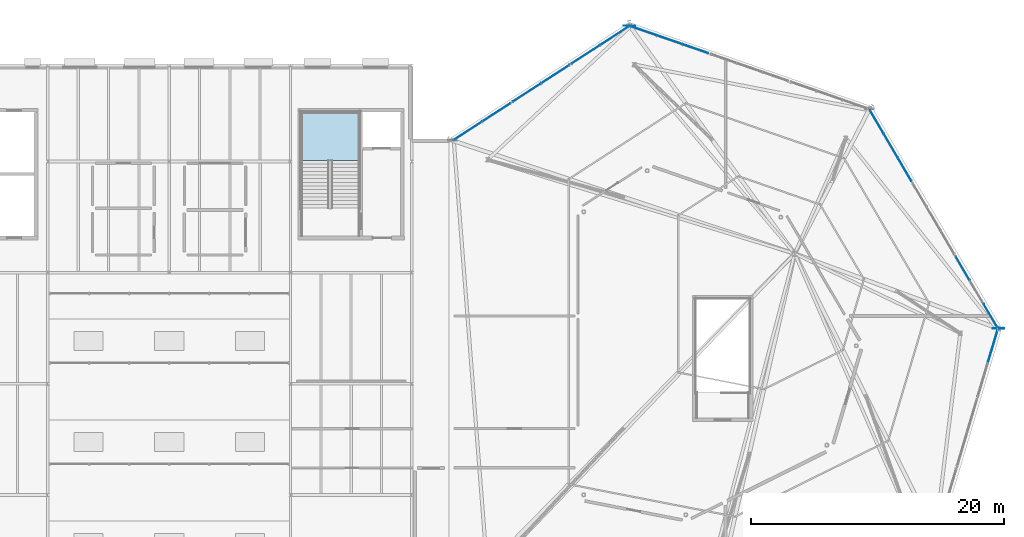
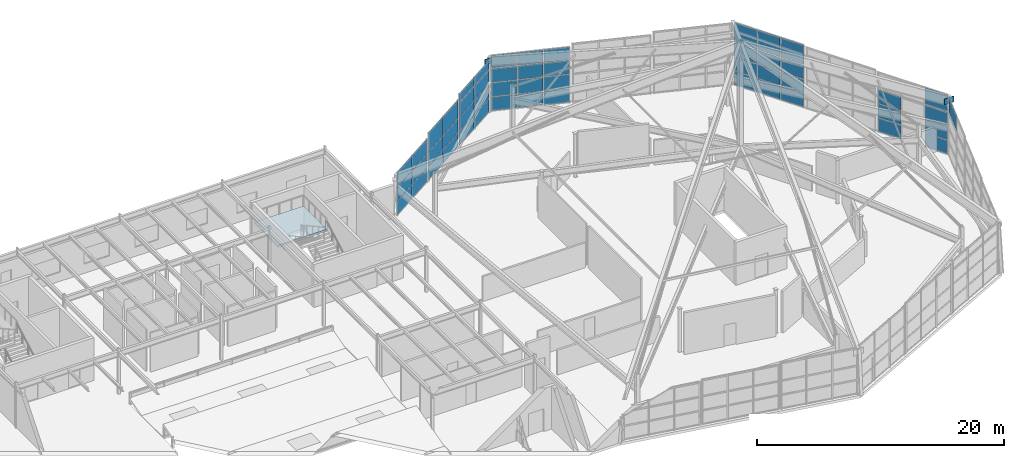
# One storey, part 27 of 50: 54 plates, 1 slab, 12 elements without a shape of their own.
"""IFC4 building model written with IfcOpenShell, lengths in metres."""

from ifc_helpers import new_model, si_unit, direction, frame, origin, origin_2d, place, context, subcontext, project, spatial, polyline, rectangle, outline, extrude, material, layer, layer_set, type_object, element, aggregate, save


model = new_model("IFC4")

# Units and contexts
model_context = context("Model", 3, precision=1e-05, world=origin(), true_north=direction((0.0, 1.0)))
body_context = subcontext(model_context, "Body", "Model", "MODEL_VIEW")
ifc_project = project(units=[si_unit("LENGTHUNIT", "METRE"), si_unit("AREAUNIT", "SQUARE_METRE"), si_unit("VOLUMEUNIT", "CUBIC_METRE"), si_unit("PLANEANGLEUNIT", "RADIAN"), si_unit("MASSUNIT", "GRAM", prefix="KILO")], contexts=[model_context])

# Site, building, storey
site_placement = place(None, origin())
site = spatial("IfcSite", under=ifc_project, at=site_placement, CompositionType="ELEMENT")
building_placement = place(site_placement, origin())
building = spatial("IfcBuilding", under=site, at=building_placement, Name="Sarnbrook Museum", CompositionType="ELEMENT")
storey_placement = place(building_placement, frame((0.0, 0.0, 28.10009765625)))
storey = spatial("IfcBuildingStorey", under=building, at=storey_placement, Name="L05", CompositionType="ELEMENT", Elevation=28.10009765625)

# Curtain wall, plate
ifc_material_1 = material(Name="Thermally Broken Anodised Aluminium 6063-T6", Category="aluminium")
curtain_wall_type_1 = type_object("IfcCurtainWallType", Name="CurtainWall_Sawtooth", PredefinedType="NOTDEFINED", material=ifc_material_1)
curtain_wall_1_placement = place(storey_placement, origin())
curtain_wall_1 = element("IfcCurtainWall", 1, at=curtain_wall_1_placement, inside=storey, type_object=curtain_wall_type_1, Name="Crystal Roof Folded Eaves Clerestory 4", PredefinedType="NOTDEFINED")
ifc_material_2 = material(Name="Double-Glazed Low-Iron Laminated Safety Glass", Category="glass")
ifc_layer_1 = layer(ifc_material_2, 0.031982421875)
ifc_layer_set_1 = layer_set([ifc_layer_1], Name="Double-Glazed Low-Iron Laminated Safety Glass")
plate_type_1 = type_object("IfcPlateType", Name="CW_GlazedPanel_32", PredefinedType="CURTAIN_PANEL", material=ifc_layer_set_1)
plate_1_placement = place(storey_placement, frame((165.1650390625, 86.162841796875, 4.974853515625), z_axis=(0.958647188199, -0.284597204059, 0.0), x_axis=(0.284597204059, 0.958647188199, 0.0)))
plate_1 = element("IfcPlate", 2, at=plate_1_placement, type_object=plate_type_1, Name="Crystal Roof Folded Eaves Clerestory 4 Glazed Panel 2-1", PredefinedType="CURTAIN_PANEL", context=body_context, shape_type="SweptSolid", body=[
    extrude(rectangle(XDim=2.712890625, YDim=1.43994140625, at=origin_2d()), origin(), (0.0, 0.0, 1.0), 0.031982421875),
])
aggregate(curtain_wall_1, [plate_1])

# Curtain wall, plates
curtain_wall_type_2 = type_object("IfcCurtainWallType", Name="CurtainWall_CrystalFacet", PredefinedType="NOTDEFINED", material=ifc_material_1)
curtain_wall_2_placement = place(storey_placement, origin())
curtain_wall_2 = element("IfcCurtainWall", 3, at=curtain_wall_2_placement, inside=storey, type_object=curtain_wall_type_2, Name="Crystal Hall Facet Curtain Wall L05-F4.1", PredefinedType="NOTDEFINED")
plate_2_placement = place(storey_placement, frame((164.99267578125, 88.57958984375, 0.699951171875), z_axis=(0.86250023703, 0.506056658017, 0.0), x_axis=(-0.506056658017, 0.86250023703, 0.0)))
plate_2 = element("IfcPlate", 4, at=plate_2_placement, type_object=plate_type_1, Name="Crystal Hall Facet Curtain Wall L05-F4.1 Glazed Panel 1-1", PredefinedType="CURTAIN_PANEL", context=body_context, shape_type="SweptSolid", body=[
    extrude(rectangle(XDim=2.107666015625, YDim=1.330078125, at=origin_2d()), origin(), (0.0, 0.0, 1.0), 0.031982421875),
])
plate_3_placement = place(storey_placement, frame((164.99267578125, 88.57958984375, 2.099853515625), z_axis=(0.86250023703, 0.506056658017, 0.0), x_axis=(-0.506056658017, 0.86250023703, 0.0)))
plate_3 = element("IfcPlate", 5, at=plate_3_placement, type_object=plate_type_1, Name="Crystal Hall Facet Curtain Wall L05-F4.1 Glazed Panel 1-2", PredefinedType="CURTAIN_PANEL", context=body_context, shape_type="SweptSolid", body=[
    extrude(rectangle(XDim=2.107666015625, YDim=1.330078125, at=origin_2d()), origin(), (0.0, 0.0, 1.0), 0.031982421875),
])
plate_4_placement = place(storey_placement, frame((164.99267578125, 88.57958984375, 3.5), z_axis=(0.86250023703, 0.506056658017, 0.0), x_axis=(-0.506056658017, 0.86250023703, 0.0)))
plate_4 = element("IfcPlate", 6, at=plate_4_placement, type_object=plate_type_1, Name="Crystal Hall Facet Curtain Wall L05-F4.1 Glazed Panel 1-3", PredefinedType="CURTAIN_PANEL", context=body_context, shape_type="SweptSolid", body=[
    extrude(rectangle(XDim=2.107666015625, YDim=1.330078125, at=origin_2d()), origin(), (0.0, 0.0, 1.0), 0.031982421875),
])
plate_5_placement = place(storey_placement, frame((162.78369140625, 92.344482421875, 0.699951171875), z_axis=(0.86250023703, 0.506056658017, 0.0), x_axis=(-0.506056658017, 0.86250023703, 0.0)))
plate_5 = element("IfcPlate", 7, at=plate_5_placement, type_object=plate_type_1, Name="Crystal Hall Facet Curtain Wall L05-F4.1 Glazed Panel 3-1", PredefinedType="CURTAIN_PANEL", context=body_context, shape_type="SweptSolid", body=[
    extrude(rectangle(XDim=2.107666015625, YDim=1.330078125, at=origin_2d()), origin(), (0.0, 0.0, 1.0), 0.031982421875),
])
plate_6_placement = place(storey_placement, frame((162.78369140625, 92.344482421875, 2.099853515625), z_axis=(0.86250023703, 0.506056658017, 0.0), x_axis=(-0.506056658017, 0.86250023703, 0.0)))
plate_6 = element("IfcPlate", 8, at=plate_6_placement, type_object=plate_type_1, Name="Crystal Hall Facet Curtain Wall L05-F4.1 Glazed Panel 3-2", PredefinedType="CURTAIN_PANEL", context=body_context, shape_type="SweptSolid", body=[
    extrude(rectangle(XDim=2.107666015625, YDim=1.330078125, at=origin_2d()), origin(), (0.0, 0.0, 1.0), 0.031982421875),
])
plate_7_placement = place(storey_placement, frame((162.78369140625, 92.344482421875, 3.5), z_axis=(0.86250023703, 0.506056658017, 0.0), x_axis=(-0.506056658017, 0.86250023703, 0.0)))
plate_7 = element("IfcPlate", 9, at=plate_7_placement, type_object=plate_type_1, Name="Crystal Hall Facet Curtain Wall L05-F4.1 Glazed Panel 3-3", PredefinedType="CURTAIN_PANEL", context=body_context, shape_type="SweptSolid", body=[
    extrude(rectangle(XDim=2.107666015625, YDim=1.330078125, at=origin_2d()), origin(), (0.0, 0.0, 1.0), 0.031982421875),
])
aggregate(curtain_wall_2, [plate_2, plate_3, plate_4, plate_5, plate_6, plate_7])

# Curtain wall, plate
curtain_wall_3_placement = place(storey_placement, origin())
curtain_wall_3 = element("IfcCurtainWall", 10, at=curtain_wall_3_placement, inside=storey, type_object=curtain_wall_type_1, Name="Crystal Roof Folded Eaves Clerestory 5", PredefinedType="NOTDEFINED")
plate_8_placement = place(storey_placement, frame((164.99267578125, 88.57958984375, 5.074951171875), z_axis=(0.86250023703, 0.506056658017, 0.0), x_axis=(-0.506056658017, 0.86250023703, 0.0)))
plate_8 = element("IfcPlate", 11, at=plate_8_placement, type_object=plate_type_1, Name="Crystal Roof Folded Eaves Clerestory 5 Glazed Panel 1-1", PredefinedType="CURTAIN_PANEL", context=body_context, shape_type="SweptSolid", body=[
    extrude(rectangle(XDim=2.107666015625, YDim=1.639892578125, at=origin_2d()), origin(), (0.0, 0.0, 1.0), 0.031982421875),
])
aggregate(curtain_wall_3, [plate_8])

# Curtain wall, plates
curtain_wall_4_placement = place(storey_placement, origin())
curtain_wall_4 = element("IfcCurtainWall", 12, at=curtain_wall_4_placement, inside=storey, type_object=curtain_wall_type_2, Name="Crystal Hall Facet Curtain Wall L05-F4.3", PredefinedType="NOTDEFINED")
plate_9_placement = place(storey_placement, frame((158.20361328125, 100.150634765625, 0.699951171875), z_axis=(0.86250023703, 0.506056658017, 0.0), x_axis=(-0.506056658017, 0.86250023703, 0.0)))
plate_9 = element("IfcPlate", 13, at=plate_9_placement, type_object=plate_type_1, Name="Crystal Hall Facet Curtain Wall L05-F4.3 Glazed Panel 1-1", PredefinedType="CURTAIN_PANEL", context=body_context, shape_type="SweptSolid", body=[
    extrude(rectangle(XDim=2.107666015625, YDim=1.330078125, at=origin_2d()), origin(), (0.0, 0.0, 1.0), 0.031982421875),
])
plate_10_placement = place(storey_placement, frame((158.20361328125, 100.150634765625, 2.099853515625), z_axis=(0.86250023703, 0.506056658017, 0.0), x_axis=(-0.506056658017, 0.86250023703, 0.0)))
plate_10 = element("IfcPlate", 14, at=plate_10_placement, type_object=plate_type_1, Name="Crystal Hall Facet Curtain Wall L05-F4.3 Glazed Panel 1-2", PredefinedType="CURTAIN_PANEL", context=body_context, shape_type="SweptSolid", body=[
    extrude(rectangle(XDim=2.107666015625, YDim=1.330078125, at=origin_2d()), origin(), (0.0, 0.0, 1.0), 0.031982421875),
])
plate_11_placement = place(storey_placement, frame((158.20361328125, 100.150634765625, 3.5), z_axis=(0.86250023703, 0.506056658017, 0.0), x_axis=(-0.506056658017, 0.86250023703, 0.0)))
plate_11 = element("IfcPlate", 15, at=plate_11_placement, type_object=plate_type_1, Name="Crystal Hall Facet Curtain Wall L05-F4.3 Glazed Panel 1-3", PredefinedType="CURTAIN_PANEL", context=body_context, shape_type="SweptSolid", body=[
    extrude(rectangle(XDim=2.107666015625, YDim=1.330078125, at=origin_2d()), origin(), (0.0, 0.0, 1.0), 0.031982421875),
])
plate_12_placement = place(storey_placement, frame((157.09912109375, 102.032958984375, 0.699951171875), z_axis=(0.86250023703, 0.506056658017, 0.0), x_axis=(-0.506056658017, 0.86250023703, 0.0)))
plate_12 = element("IfcPlate", 16, at=plate_12_placement, type_object=plate_type_1, Name="Crystal Hall Facet Curtain Wall L05-F4.3 Glazed Panel 2-1", PredefinedType="CURTAIN_PANEL", context=body_context, shape_type="SweptSolid", body=[
    extrude(rectangle(XDim=2.107666015625, YDim=1.330078125, at=origin_2d()), origin(), (0.0, 0.0, 1.0), 0.031982421875),
])
plate_13_placement = place(storey_placement, frame((157.09912109375, 102.032958984375, 2.099853515625), z_axis=(0.86250023703, 0.506056658017, 0.0), x_axis=(-0.506056658017, 0.86250023703, 0.0)))
plate_13 = element("IfcPlate", 17, at=plate_13_placement, type_object=plate_type_1, Name="Crystal Hall Facet Curtain Wall L05-F4.3 Glazed Panel 2-2", PredefinedType="CURTAIN_PANEL", context=body_context, shape_type="SweptSolid", body=[
    extrude(rectangle(XDim=2.107666015625, YDim=1.330078125, at=origin_2d()), origin(), (0.0, 0.0, 1.0), 0.031982421875),
])
plate_14_placement = place(storey_placement, frame((157.09912109375, 102.032958984375, 3.5), z_axis=(0.86250023703, 0.506056658017, 0.0), x_axis=(-0.506056658017, 0.86250023703, 0.0)))
plate_14 = element("IfcPlate", 18, at=plate_14_placement, type_object=plate_type_1, Name="Crystal Hall Facet Curtain Wall L05-F4.3 Glazed Panel 2-3", PredefinedType="CURTAIN_PANEL", context=body_context, shape_type="SweptSolid", body=[
    extrude(rectangle(XDim=2.107666015625, YDim=1.330078125, at=origin_2d()), origin(), (0.0, 0.0, 1.0), 0.031982421875),
])
plate_15_placement = place(storey_placement, frame((155.99462890625, 103.91552734375, 0.699951171875), z_axis=(0.86250023703, 0.506056658017, 0.0), x_axis=(-0.506056658017, 0.86250023703, 0.0)))
plate_15 = element("IfcPlate", 19, at=plate_15_placement, type_object=plate_type_1, Name="Crystal Hall Facet Curtain Wall L05-F4.3 Glazed Panel 3-1", PredefinedType="CURTAIN_PANEL", context=body_context, shape_type="SweptSolid", body=[
    extrude(rectangle(XDim=2.107666015625, YDim=1.330078125, at=origin_2d()), origin(), (0.0, 0.0, 1.0), 0.031982421875),
])
plate_16_placement = place(storey_placement, frame((155.99462890625, 103.91552734375, 2.099853515625), z_axis=(0.86250023703, 0.506056658017, 0.0), x_axis=(-0.506056658017, 0.86250023703, 0.0)))
plate_16 = element("IfcPlate", 20, at=plate_16_placement, type_object=plate_type_1, Name="Crystal Hall Facet Curtain Wall L05-F4.3 Glazed Panel 3-2", PredefinedType="CURTAIN_PANEL", context=body_context, shape_type="SweptSolid", body=[
    extrude(rectangle(XDim=2.107666015625, YDim=1.330078125, at=origin_2d()), origin(), (0.0, 0.0, 1.0), 0.031982421875),
])
plate_17_placement = place(storey_placement, frame((155.99462890625, 103.91552734375, 3.5), z_axis=(0.86250023703, 0.506056658017, 0.0), x_axis=(-0.506056658017, 0.86250023703, 0.0)))
plate_17 = element("IfcPlate", 21, at=plate_17_placement, type_object=plate_type_1, Name="Crystal Hall Facet Curtain Wall L05-F4.3 Glazed Panel 3-3", PredefinedType="CURTAIN_PANEL", context=body_context, shape_type="SweptSolid", body=[
    extrude(rectangle(XDim=2.107666015625, YDim=1.330078125, at=origin_2d()), origin(), (0.0, 0.0, 1.0), 0.031982421875),
])
aggregate(curtain_wall_4, [plate_9, plate_10, plate_11, plate_12, plate_13, plate_14, plate_15, plate_16, plate_17])

curtain_wall_5_placement = place(storey_placement, origin())
curtain_wall_5 = element("IfcCurtainWall", 22, at=curtain_wall_5_placement, inside=storey, type_object=curtain_wall_type_1, Name="Crystal Roof Folded Eaves Clerestory 7", PredefinedType="NOTDEFINED")
plate_18_placement = place(storey_placement, frame((158.20361328125, 100.150634765625, 5.224853515625), z_axis=(0.86250023703, 0.506056658017, 0.0), x_axis=(-0.506056658017, 0.86250023703, 0.0)))
plate_18 = element("IfcPlate", 23, at=plate_18_placement, type_object=plate_type_1, Name="Crystal Roof Folded Eaves Clerestory 7 Glazed Panel 1-1", PredefinedType="CURTAIN_PANEL", context=body_context, shape_type="SweptSolid", body=[
    extrude(rectangle(XDim=2.107666015625, YDim=1.93994140625, at=origin_2d()), origin(), (0.0, 0.0, 1.0), 0.031982421875),
])
plate_19_placement = place(storey_placement, frame((157.09912109375, 102.032958984375, 5.224853515625), z_axis=(0.86250023703, 0.506056658017, 0.0), x_axis=(-0.506056658017, 0.86250023703, 0.0)))
plate_19 = element("IfcPlate", 24, at=plate_19_placement, type_object=plate_type_1, Name="Crystal Roof Folded Eaves Clerestory 7 Glazed Panel 2-1", PredefinedType="CURTAIN_PANEL", context=body_context, shape_type="SweptSolid", body=[
    extrude(rectangle(XDim=2.107666015625, YDim=1.93994140625, at=origin_2d()), origin(), (0.0, 0.0, 1.0), 0.031982421875),
])
plate_20_placement = place(storey_placement, frame((155.99462890625, 103.91552734375, 5.224853515625), z_axis=(0.86250023703, 0.506056658017, 0.0), x_axis=(-0.506056658017, 0.86250023703, 0.0)))
plate_20 = element("IfcPlate", 25, at=plate_20_placement, type_object=plate_type_1, Name="Crystal Roof Folded Eaves Clerestory 7 Glazed Panel 3-1", PredefinedType="CURTAIN_PANEL", context=body_context, shape_type="SweptSolid", body=[
    extrude(rectangle(XDim=2.107666015625, YDim=1.93994140625, at=origin_2d()), origin(), (0.0, 0.0, 1.0), 0.031982421875),
])
aggregate(curtain_wall_5, [plate_18, plate_19, plate_20])

curtain_wall_6_placement = place(storey_placement, origin())
curtain_wall_6 = element("IfcCurtainWall", 26, at=curtain_wall_6_placement, inside=storey, type_object=curtain_wall_type_2, Name="Crystal Hall Facet Curtain Wall L05-F5.3", PredefinedType="NOTDEFINED")
plate_21_placement = place(storey_placement, frame((141.652099609375, 109.69775390625, 0.699951171875), z_axis=(0.328014650922, 0.944672635774, 0.0), x_axis=(-0.944672635774, 0.328014650922, 0.0)))
plate_21 = element("IfcPlate", 27, at=plate_21_placement, type_object=plate_type_1, Name="Crystal Hall Facet Curtain Wall L05-F5.3 Glazed Panel 1-1", PredefinedType="CURTAIN_PANEL", context=body_context, shape_type="SweptSolid", body=[
    extrude(rectangle(XDim=2.103515625, YDim=1.330078125, at=origin_2d()), origin(), (0.0, 0.0, 1.0), 0.031982421875),
])
plate_22_placement = place(storey_placement, frame((141.652099609375, 109.69775390625, 2.099853515625), z_axis=(0.328014650922, 0.944672635774, 0.0), x_axis=(-0.944672635774, 0.328014650922, 0.0)))
plate_22 = element("IfcPlate", 28, at=plate_22_placement, type_object=plate_type_1, Name="Crystal Hall Facet Curtain Wall L05-F5.3 Glazed Panel 1-2", PredefinedType="CURTAIN_PANEL", context=body_context, shape_type="SweptSolid", body=[
    extrude(rectangle(XDim=2.103515625, YDim=1.330078125, at=origin_2d()), origin(), (0.0, 0.0, 1.0), 0.031982421875),
])
plate_23_placement = place(storey_placement, frame((141.652099609375, 109.69775390625, 3.5), z_axis=(0.328014650922, 0.944672635774, 0.0), x_axis=(-0.944672635774, 0.328014650922, 0.0)))
plate_23 = element("IfcPlate", 29, at=plate_23_placement, type_object=plate_type_1, Name="Crystal Hall Facet Curtain Wall L05-F5.3 Glazed Panel 1-3", PredefinedType="CURTAIN_PANEL", context=body_context, shape_type="SweptSolid", body=[
    extrude(rectangle(XDim=2.103515625, YDim=1.330078125, at=origin_2d()), origin(), (0.0, 0.0, 1.0), 0.031982421875),
])
plate_24_placement = place(storey_placement, frame((139.59423828125, 110.412353515625, 0.699951171875), z_axis=(0.328014650922, 0.944672635774, 0.0), x_axis=(-0.944672635774, 0.328014650922, 0.0)))
plate_24 = element("IfcPlate", 30, at=plate_24_placement, type_object=plate_type_1, Name="Crystal Hall Facet Curtain Wall L05-F5.3 Glazed Panel 2-1", PredefinedType="CURTAIN_PANEL", context=body_context, shape_type="SweptSolid", body=[
    extrude(rectangle(XDim=2.103515625, YDim=1.330078125, at=origin_2d()), origin(), (0.0, 0.0, 1.0), 0.031982421875),
])
plate_25_placement = place(storey_placement, frame((139.59423828125, 110.412353515625, 2.099853515625), z_axis=(0.328014650922, 0.944672635774, 0.0), x_axis=(-0.944672635774, 0.328014650922, 0.0)))
plate_25 = element("IfcPlate", 31, at=plate_25_placement, type_object=plate_type_1, Name="Crystal Hall Facet Curtain Wall L05-F5.3 Glazed Panel 2-2", PredefinedType="CURTAIN_PANEL", context=body_context, shape_type="SweptSolid", body=[
    extrude(rectangle(XDim=2.103515625, YDim=1.330078125, at=origin_2d()), origin(), (0.0, 0.0, 1.0), 0.031982421875),
])
plate_26_placement = place(storey_placement, frame((139.59423828125, 110.412353515625, 3.5), z_axis=(0.328014650922, 0.944672635774, 0.0), x_axis=(-0.944672635774, 0.328014650922, 0.0)))
plate_26 = element("IfcPlate", 32, at=plate_26_placement, type_object=plate_type_1, Name="Crystal Hall Facet Curtain Wall L05-F5.3 Glazed Panel 2-3", PredefinedType="CURTAIN_PANEL", context=body_context, shape_type="SweptSolid", body=[
    extrude(rectangle(XDim=2.103515625, YDim=1.330078125, at=origin_2d()), origin(), (0.0, 0.0, 1.0), 0.031982421875),
])
plate_27_placement = place(storey_placement, frame((137.536376953125, 111.126953125, 0.699951171875), z_axis=(0.328014650922, 0.944672635774, 0.0), x_axis=(-0.944672635774, 0.328014650922, 0.0)))
plate_27 = element("IfcPlate", 33, at=plate_27_placement, type_object=plate_type_1, Name="Crystal Hall Facet Curtain Wall L05-F5.3 Glazed Panel 3-1", PredefinedType="CURTAIN_PANEL", context=body_context, shape_type="SweptSolid", body=[
    extrude(rectangle(XDim=2.103515625, YDim=1.330078125, at=origin_2d()), origin(), (0.0, 0.0, 1.0), 0.031982421875),
])
plate_28_placement = place(storey_placement, frame((137.536376953125, 111.126953125, 2.099853515625), z_axis=(0.328014650922, 0.944672635774, 0.0), x_axis=(-0.944672635774, 0.328014650922, 0.0)))
plate_28 = element("IfcPlate", 34, at=plate_28_placement, type_object=plate_type_1, Name="Crystal Hall Facet Curtain Wall L05-F5.3 Glazed Panel 3-2", PredefinedType="CURTAIN_PANEL", context=body_context, shape_type="SweptSolid", body=[
    extrude(rectangle(XDim=2.103515625, YDim=1.330078125, at=origin_2d()), origin(), (0.0, 0.0, 1.0), 0.031982421875),
])
plate_29_placement = place(storey_placement, frame((137.536376953125, 111.126953125, 3.5), z_axis=(0.328014650922, 0.944672635774, 0.0), x_axis=(-0.944672635774, 0.328014650922, 0.0)))
plate_29 = element("IfcPlate", 35, at=plate_29_placement, type_object=plate_type_1, Name="Crystal Hall Facet Curtain Wall L05-F5.3 Glazed Panel 3-3", PredefinedType="CURTAIN_PANEL", context=body_context, shape_type="SweptSolid", body=[
    extrude(rectangle(XDim=2.103515625, YDim=1.330078125, at=origin_2d()), origin(), (0.0, 0.0, 1.0), 0.031982421875),
])
aggregate(curtain_wall_6, [plate_21, plate_22, plate_23, plate_24, plate_25, plate_26, plate_27, plate_28, plate_29])

curtain_wall_7_placement = place(storey_placement, origin())
curtain_wall_7 = element("IfcCurtainWall", 36, at=curtain_wall_7_placement, inside=storey, type_object=curtain_wall_type_1, Name="Crystal Roof Folded Eaves Clerestory 10", PredefinedType="NOTDEFINED")
plate_30_placement = place(storey_placement, frame((141.652099609375, 109.69775390625, 4.875), z_axis=(0.328014650922, 0.944672635774, 0.0), x_axis=(-0.944672635774, 0.328014650922, 0.0)))
plate_30 = element("IfcPlate", 37, at=plate_30_placement, type_object=plate_type_1, Name="Crystal Roof Folded Eaves Clerestory 10 Glazed Panel 1-1", PredefinedType="CURTAIN_PANEL", context=body_context, shape_type="SweptSolid", body=[
    extrude(rectangle(XDim=2.103515625, YDim=1.239990234375, at=origin_2d()), origin(), (0.0, 0.0, 1.0), 0.031982421875),
])
plate_31_placement = place(storey_placement, frame((139.59423828125, 110.412353515625, 4.875), z_axis=(0.328014650922, 0.944672635774, 0.0), x_axis=(-0.944672635774, 0.328014650922, 0.0)))
plate_31 = element("IfcPlate", 38, at=plate_31_placement, type_object=plate_type_1, Name="Crystal Roof Folded Eaves Clerestory 10 Glazed Panel 2-1", PredefinedType="CURTAIN_PANEL", context=body_context, shape_type="SweptSolid", body=[
    extrude(rectangle(XDim=2.103515625, YDim=1.239990234375, at=origin_2d()), origin(), (0.0, 0.0, 1.0), 0.031982421875),
])
plate_32_placement = place(storey_placement, frame((137.536376953125, 111.126953125, 4.875), z_axis=(0.328014650922, 0.944672635774, 0.0), x_axis=(-0.944672635774, 0.328014650922, 0.0)))
plate_32 = element("IfcPlate", 39, at=plate_32_placement, type_object=plate_type_1, Name="Crystal Roof Folded Eaves Clerestory 10 Glazed Panel 3-1", PredefinedType="CURTAIN_PANEL", context=body_context, shape_type="SweptSolid", body=[
    extrude(rectangle(XDim=2.103515625, YDim=1.239990234375, at=origin_2d()), origin(), (0.0, 0.0, 1.0), 0.031982421875),
])
aggregate(curtain_wall_7, [plate_30, plate_31, plate_32])

curtain_wall_8_placement = place(storey_placement, origin())
curtain_wall_8 = element("IfcCurtainWall", 40, at=curtain_wall_8_placement, inside=storey, type_object=curtain_wall_type_2, Name="Crystal Hall Facet Curtain Wall L05-F6.1", PredefinedType="NOTDEFINED")
plate_33_placement = place(storey_placement, frame((135.239013671875, 110.733154296875, 0.699951171875), z_axis=(-0.544290663245, 0.838896700378, 0.0), x_axis=(-0.838896700378, -0.544290663245, 0.0)))
plate_33 = element("IfcPlate", 41, at=plate_33_placement, type_object=plate_type_1, Name="Crystal Hall Facet Curtain Wall L05-F6.1 Glazed Panel 1-1", PredefinedType="CURTAIN_PANEL", context=body_context, shape_type="SweptSolid", body=[
    extrude(rectangle(XDim=2.625, YDim=1.330078125, at=origin_2d()), origin(), (0.0, 0.0, 1.0), 0.031982421875),
])
plate_34_placement = place(storey_placement, frame((135.239013671875, 110.733154296875, 2.099853515625), z_axis=(-0.544290663245, 0.838896700378, 0.0), x_axis=(-0.838896700378, -0.544290663245, 0.0)))
plate_34 = element("IfcPlate", 42, at=plate_34_placement, type_object=plate_type_1, Name="Crystal Hall Facet Curtain Wall L05-F6.1 Glazed Panel 1-2", PredefinedType="CURTAIN_PANEL", context=body_context, shape_type="SweptSolid", body=[
    extrude(rectangle(XDim=2.625, YDim=1.330078125, at=origin_2d()), origin(), (0.0, 0.0, 1.0), 0.031982421875),
])
plate_35_placement = place(storey_placement, frame((135.239013671875, 110.733154296875, 3.5), z_axis=(-0.544290663245, 0.838896700378, 0.0), x_axis=(-0.838896700378, -0.544290663245, 0.0)))
plate_35 = element("IfcPlate", 43, at=plate_35_placement, type_object=plate_type_1, Name="Crystal Hall Facet Curtain Wall L05-F6.1 Glazed Panel 1-3", PredefinedType="CURTAIN_PANEL", context=body_context, shape_type="SweptSolid", body=[
    extrude(rectangle(XDim=2.625, YDim=1.330078125, at=origin_2d()), origin(), (0.0, 0.0, 1.0), 0.031982421875),
])
plate_36_placement = place(storey_placement, frame((132.97412109375, 109.263427734375, 0.699951171875), z_axis=(-0.544290663245, 0.838896700378, 0.0), x_axis=(-0.838896700378, -0.544290663245, 0.0)))
plate_36 = element("IfcPlate", 44, at=plate_36_placement, type_object=plate_type_1, Name="Crystal Hall Facet Curtain Wall L05-F6.1 Glazed Panel 2-1", PredefinedType="CURTAIN_PANEL", context=body_context, shape_type="SweptSolid", body=[
    extrude(rectangle(XDim=2.625, YDim=1.330078125, at=origin_2d()), origin(), (0.0, 0.0, 1.0), 0.031982421875),
])
plate_37_placement = place(storey_placement, frame((132.97412109375, 109.263427734375, 2.099853515625), z_axis=(-0.544290663245, 0.838896700378, 0.0), x_axis=(-0.838896700378, -0.544290663245, 0.0)))
plate_37 = element("IfcPlate", 45, at=plate_37_placement, type_object=plate_type_1, Name="Crystal Hall Facet Curtain Wall L05-F6.1 Glazed Panel 2-2", PredefinedType="CURTAIN_PANEL", context=body_context, shape_type="SweptSolid", body=[
    extrude(rectangle(XDim=2.625, YDim=1.330078125, at=origin_2d()), origin(), (0.0, 0.0, 1.0), 0.031982421875),
])
plate_38_placement = place(storey_placement, frame((132.97412109375, 109.263427734375, 3.5), z_axis=(-0.544290663245, 0.838896700378, 0.0), x_axis=(-0.838896700378, -0.544290663245, 0.0)))
plate_38 = element("IfcPlate", 46, at=plate_38_placement, type_object=plate_type_1, Name="Crystal Hall Facet Curtain Wall L05-F6.1 Glazed Panel 2-3", PredefinedType="CURTAIN_PANEL", context=body_context, shape_type="SweptSolid", body=[
    extrude(rectangle(XDim=2.625, YDim=1.330078125, at=origin_2d()), origin(), (0.0, 0.0, 1.0), 0.031982421875),
])
aggregate(curtain_wall_8, [plate_33, plate_34, plate_35, plate_36, plate_37, plate_38])

curtain_wall_9_placement = place(storey_placement, origin())
curtain_wall_9 = element("IfcCurtainWall", 47, at=curtain_wall_9_placement, inside=storey, type_object=curtain_wall_type_1, Name="Crystal Roof Folded Eaves Clerestory 11", PredefinedType="NOTDEFINED")
plate_39_placement = place(storey_placement, frame((135.239013671875, 110.733154296875, 4.66650390625), z_axis=(-0.544290663245, 0.838896700378, 0.0), x_axis=(-0.838896700378, -0.544290663245, 0.0)))
plate_39 = element("IfcPlate", 48, at=plate_39_placement, type_object=plate_type_1, Name="Crystal Roof Folded Eaves Clerestory 11 Glazed Panel 1-1", PredefinedType="CURTAIN_PANEL", context=body_context, shape_type="SweptSolid", body=[
    extrude(rectangle(XDim=2.625, YDim=0.822998046875, at=origin_2d()), origin(), (0.0, 0.0, 1.0), 0.031982421875),
])
plate_40_placement = place(storey_placement, frame((132.97412109375, 109.263427734375, 4.66650390625), z_axis=(-0.544290663245, 0.838896700378, 0.0), x_axis=(-0.838896700378, -0.544290663245, 0.0)))
plate_40 = element("IfcPlate", 49, at=plate_40_placement, type_object=plate_type_1, Name="Crystal Roof Folded Eaves Clerestory 11 Glazed Panel 2-1", PredefinedType="CURTAIN_PANEL", context=body_context, shape_type="SweptSolid", body=[
    extrude(rectangle(XDim=2.625, YDim=0.822998046875, at=origin_2d()), origin(), (0.0, 0.0, 1.0), 0.031982421875),
])
aggregate(curtain_wall_9, [plate_39, plate_40])

curtain_wall_10_placement = place(storey_placement, origin())
curtain_wall_10 = element("IfcCurtainWall", 50, at=curtain_wall_10_placement, inside=storey, type_object=curtain_wall_type_2, Name="Crystal Hall Facet Curtain Wall L05-F6.2", PredefinedType="NOTDEFINED")
plate_41_placement = place(storey_placement, frame((130.57470703125, 107.706787109375, 0.699951171875), z_axis=(-0.544290663245, 0.838896700378, 0.0), x_axis=(-0.838896700378, -0.544290663245, 0.0)))
plate_41 = element("IfcPlate", 51, at=plate_41_placement, type_object=plate_type_1, Name="Crystal Hall Facet Curtain Wall L05-F6.2 Glazed Panel 1-1", PredefinedType="CURTAIN_PANEL", context=body_context, shape_type="SweptSolid", body=[
    extrude(rectangle(XDim=2.625, YDim=1.330078125, at=origin_2d()), origin(), (0.0, 0.0, 1.0), 0.031982421875),
])
plate_42_placement = place(storey_placement, frame((130.57470703125, 107.706787109375, 2.099853515625), z_axis=(-0.544290663245, 0.838896700378, 0.0), x_axis=(-0.838896700378, -0.544290663245, 0.0)))
plate_42 = element("IfcPlate", 52, at=plate_42_placement, type_object=plate_type_1, Name="Crystal Hall Facet Curtain Wall L05-F6.2 Glazed Panel 1-2", PredefinedType="CURTAIN_PANEL", context=body_context, shape_type="SweptSolid", body=[
    extrude(rectangle(XDim=2.625, YDim=1.330078125, at=origin_2d()), origin(), (0.0, 0.0, 1.0), 0.031982421875),
])
plate_43_placement = place(storey_placement, frame((130.57470703125, 107.706787109375, 3.748291015625), z_axis=(-0.544290663245, 0.838896700378, 0.0), x_axis=(-0.838896700378, -0.544290663245, 0.0)))
plate_43 = element("IfcPlate", 53, at=plate_43_placement, type_object=plate_type_1, Name="Crystal Hall Facet Curtain Wall L05-F6.2 Glazed Panel 1-3", PredefinedType="CURTAIN_PANEL", context=body_context, shape_type="SweptSolid", body=[
    extrude(rectangle(XDim=2.625, YDim=1.826904296875, at=origin_2d()), origin(), (0.0, 0.0, 1.0), 0.031982421875),
])
plate_44_placement = place(storey_placement, frame((128.3095703125, 106.237060546875, 0.699951171875), z_axis=(-0.544290663245, 0.838896700378, 0.0), x_axis=(-0.838896700378, -0.544290663245, 0.0)))
plate_44 = element("IfcPlate", 54, at=plate_44_placement, type_object=plate_type_1, Name="Crystal Hall Facet Curtain Wall L05-F6.2 Glazed Panel 2-1", PredefinedType="CURTAIN_PANEL", context=body_context, shape_type="SweptSolid", body=[
    extrude(rectangle(XDim=2.625, YDim=1.330078125, at=origin_2d()), origin(), (0.0, 0.0, 1.0), 0.031982421875),
])
plate_45_placement = place(storey_placement, frame((128.3095703125, 106.237060546875, 2.099853515625), z_axis=(-0.544290663245, 0.838896700378, 0.0), x_axis=(-0.838896700378, -0.544290663245, 0.0)))
plate_45 = element("IfcPlate", 55, at=plate_45_placement, type_object=plate_type_1, Name="Crystal Hall Facet Curtain Wall L05-F6.2 Glazed Panel 2-2", PredefinedType="CURTAIN_PANEL", context=body_context, shape_type="SweptSolid", body=[
    extrude(rectangle(XDim=2.625, YDim=1.330078125, at=origin_2d()), origin(), (0.0, 0.0, 1.0), 0.031982421875),
])
plate_46_placement = place(storey_placement, frame((128.3095703125, 106.237060546875, 3.748291015625), z_axis=(-0.544290663245, 0.838896700378, 0.0), x_axis=(-0.838896700378, -0.544290663245, 0.0)))
plate_46 = element("IfcPlate", 56, at=plate_46_placement, type_object=plate_type_1, Name="Crystal Hall Facet Curtain Wall L05-F6.2 Glazed Panel 2-3", PredefinedType="CURTAIN_PANEL", context=body_context, shape_type="SweptSolid", body=[
    extrude(rectangle(XDim=2.625, YDim=1.826904296875, at=origin_2d()), origin(), (0.0, 0.0, 1.0), 0.031982421875),
])
aggregate(curtain_wall_10, [plate_41, plate_42, plate_43, plate_44, plate_45, plate_46])

curtain_wall_11_placement = place(storey_placement, origin())
curtain_wall_11 = element("IfcCurtainWall", 57, at=curtain_wall_11_placement, inside=storey, type_object=curtain_wall_type_2, Name="Crystal Hall Facet Curtain Wall L05-F6.3", PredefinedType="NOTDEFINED")
plate_47_placement = place(storey_placement, frame((125.910400390625, 104.680419921875, 0.699951171875), z_axis=(-0.544290663245, 0.838896700378, 0.0), x_axis=(-0.838896700378, -0.544290663245, 0.0)))
plate_47 = element("IfcPlate", 58, at=plate_47_placement, type_object=plate_type_1, Name="Crystal Hall Facet Curtain Wall L05-F6.3 Glazed Panel 1-1", PredefinedType="CURTAIN_PANEL", context=body_context, shape_type="SweptSolid", body=[
    extrude(rectangle(XDim=2.625, YDim=1.330078125, at=origin_2d()), origin(), (0.0, 0.0, 1.0), 0.031982421875),
])
plate_48_placement = place(storey_placement, frame((125.910400390625, 104.680419921875, 2.099853515625), z_axis=(-0.544290663245, 0.838896700378, 0.0), x_axis=(-0.838896700378, -0.544290663245, 0.0)))
plate_48 = element("IfcPlate", 59, at=plate_48_placement, type_object=plate_type_1, Name="Crystal Hall Facet Curtain Wall L05-F6.3 Glazed Panel 1-2", PredefinedType="CURTAIN_PANEL", context=body_context, shape_type="SweptSolid", body=[
    extrude(rectangle(XDim=2.625, YDim=1.330078125, at=origin_2d()), origin(), (0.0, 0.0, 1.0), 0.031982421875),
])
plate_49_placement = place(storey_placement, frame((125.910400390625, 104.680419921875, 3.539794921875), z_axis=(-0.544290663245, 0.838896700378, 0.0), x_axis=(-0.838896700378, -0.544290663245, 0.0)))
plate_49 = element("IfcPlate", 60, at=plate_49_placement, type_object=plate_type_1, Name="Crystal Hall Facet Curtain Wall L05-F6.3 Glazed Panel 1-3", PredefinedType="CURTAIN_PANEL", context=body_context, shape_type="SweptSolid", body=[
    extrude(rectangle(XDim=2.625, YDim=1.409912109375, at=origin_2d()), origin(), (0.0, 0.0, 1.0), 0.031982421875),
])
plate_50_placement = place(storey_placement, frame((123.6455078125, 103.2109375, 0.699951171875), z_axis=(-0.544290663245, 0.838896700378, 0.0), x_axis=(-0.838896700378, -0.544290663245, 0.0)))
plate_50 = element("IfcPlate", 61, at=plate_50_placement, type_object=plate_type_1, Name="Crystal Hall Facet Curtain Wall L05-F6.3 Glazed Panel 2-1", PredefinedType="CURTAIN_PANEL", context=body_context, shape_type="SweptSolid", body=[
    extrude(rectangle(XDim=2.625, YDim=1.330078125, at=origin_2d()), origin(), (0.0, 0.0, 1.0), 0.031982421875),
])
plate_51_placement = place(storey_placement, frame((123.6455078125, 103.2109375, 2.099853515625), z_axis=(-0.544290663245, 0.838896700378, 0.0), x_axis=(-0.838896700378, -0.544290663245, 0.0)))
plate_51 = element("IfcPlate", 62, at=plate_51_placement, type_object=plate_type_1, Name="Crystal Hall Facet Curtain Wall L05-F6.3 Glazed Panel 2-2", PredefinedType="CURTAIN_PANEL", context=body_context, shape_type="SweptSolid", body=[
    extrude(rectangle(XDim=2.625, YDim=1.330078125, at=origin_2d()), origin(), (0.0, 0.0, 1.0), 0.031982421875),
])
plate_52_placement = place(storey_placement, frame((123.6455078125, 103.2109375, 3.539794921875), z_axis=(-0.544290663245, 0.838896700378, 0.0), x_axis=(-0.838896700378, -0.544290663245, 0.0)))
plate_52 = element("IfcPlate", 63, at=plate_52_placement, type_object=plate_type_1, Name="Crystal Hall Facet Curtain Wall L05-F6.3 Glazed Panel 2-3", PredefinedType="CURTAIN_PANEL", context=body_context, shape_type="SweptSolid", body=[
    extrude(rectangle(XDim=2.625, YDim=1.409912109375, at=origin_2d()), origin(), (0.0, 0.0, 1.0), 0.031982421875),
])
aggregate(curtain_wall_11, [plate_47, plate_48, plate_49, plate_50, plate_51, plate_52])

# Plates
ifc_material_3 = material(Name="Structural Steel Grade 350L0 (AS/NZS 3678, fy = 340 MPa for 20 < t <= 40 mm)", Category="steel")
ifc_layer_2 = layer(ifc_material_3, 0.031982421875)
ifc_layer_set_2 = layer_set([ifc_layer_2], Name="Structural Steel Grade 350L0 (AS/NZS 3678, fy = 340 MPa for 20 < t <= 40 mm)")
plate_type_2 = type_object("IfcPlateType", Name="GussetPlate_KN6", PredefinedType="USERDEFINED", material=ifc_layer_set_2)
for number, where, z_axis, x_axis, name in (
    (64, (165.616455078125, 87.576416015625, 5.06982421875), (0.0, 0.0, 1.0), (1.0, 0.0, 0.0), "Crystal Roof Eaves Node Plate KN6-4"),
    (65, (136.431396484375, 111.542724609375, 4.669921875), (0.0, 0.0, 1.0), (1.0, 0.0, 0.0), "Crystal Roof Eaves Node Plate KN6-6"),
):
    element("IfcPlate", number, at=place(storey_placement, frame(where, z_axis=z_axis, x_axis=x_axis)), inside=storey, type_object=plate_type_2, Name=name, ObjectType="GUSSET PLATE", PredefinedType="USERDEFINED", context=body_context, shape_type="SweptSolid", body=[
        extrude(rectangle(XDim=0.89990234375, YDim=0.031982421875, at=origin_2d()), origin(), (0.0, 0.0, 1.0), 0.60009765625),
    ])

# Stair, slab
ifc_material_4 = material(Name="Concrete N40 (AS 3600, f'c = 40 MPa)", Category="concrete")
stair_type = type_object("IfcStairType", Name="Stair_ST03", PredefinedType="HALF_TURN_STAIR", material=ifc_material_4)
stair_placement = place(storey_placement, origin())
stair = element("IfcStair", 66, at=stair_placement, inside=storey, type_object=stair_type, Name="L05 Exit Stair ST2", PredefinedType="HALF_TURN_STAIR")
ifc_layer_3 = layer(ifc_material_4, 0.199951171875)
ifc_layer_set_3 = layer_set([ifc_layer_3], Name="Concrete N40 (AS 3600, f'c = 40 MPa)")
slab_type = type_object("IfcSlabType", Name="Landing_200", PredefinedType="LANDING", material=ifc_layer_set_3)
slab_placement = place(storey_placement, frame((0.0, 0.0, 2.0498046875)))
slab = element("IfcSlab", 67, at=slab_placement, type_object=slab_type, Name="ST2 landing 1", PredefinedType="LANDING", context=body_context, shape_type="SweptSolid", body=[
    extrude(outline(polyline([(115.06005859375, 100.889892578125), (115.06005859375, 104.699951171875), (110.43994140625, 104.699951171875), (110.43994140625, 100.889892578125), (115.06005859375, 100.889892578125)])), origin(), (0.0, 0.0, 1.0), 0.2001953125),
])
aggregate(stair, [slab])

save(model, "model.ifc")
